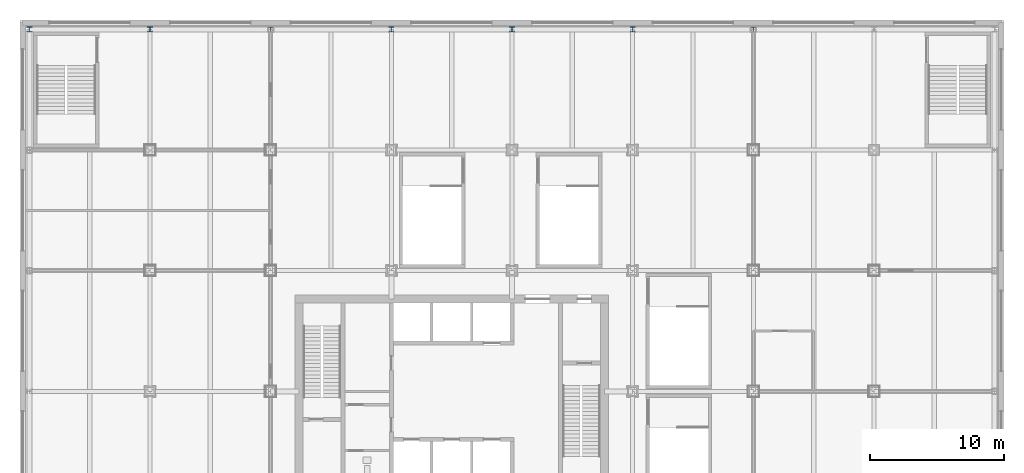
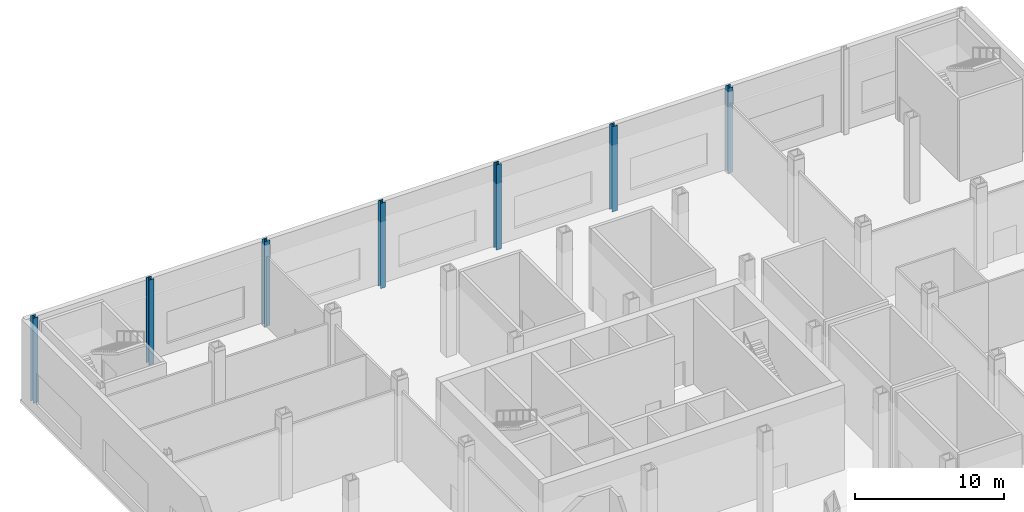
# One storey, part 7 of 32: 7 columns.
"""IFC4 building model written with IfcOpenShell, lengths in metres."""

from ifc_helpers import new_model, si_unit, direction, frame, origin, origin_2d, place, context, subcontext, project, spatial, i_section, extrude, material, material_profile, profile_set, type_object, element, save


model = new_model("IFC4")

# Units and contexts
model_context = context("Model", 3, precision=1e-05, world=origin(), true_north=direction((0.0, 1.0)))
body_context = subcontext(model_context, "Body", "Model", "MODEL_VIEW")
ifc_project = project(units=[si_unit("LENGTHUNIT", "METRE"), si_unit("AREAUNIT", "SQUARE_METRE"), si_unit("VOLUMEUNIT", "CUBIC_METRE"), si_unit("PLANEANGLEUNIT", "RADIAN"), si_unit("MASSUNIT", "GRAM", prefix="KILO")], contexts=[model_context])

# Site, building, storey
site_placement = place(None, origin())
site = spatial("IfcSite", under=ifc_project, at=site_placement, CompositionType="ELEMENT")
building_placement = place(site_placement, origin())
building = spatial("IfcBuilding", under=site, at=building_placement, Name="Loomwork Tower", CompositionType="ELEMENT")
storey_placement = place(building_placement, frame((0.0, 0.0, 16.0)))
storey = spatial("IfcBuildingStorey", under=building, at=storey_placement, Name="L03", CompositionType="ELEMENT", Elevation=16.0)

# Columns
ifc_material = material(Name="Steel ASTM A992", Category="steel")
ifc_material_profile = material_profile(ifc_material, i_section(OverallWidth=0.393798828125, OverallDepth=0.3759765625, WebThickness=0.017333984375, FlangeThickness=0.027587890625, at=origin_2d()), Name="W14x145")
ifc_profile_set = profile_set([ifc_material_profile], Name="Steel ASTM A992")
column_type = type_object("IfcColumnType", Name="PODIUM COLUMN W14x145", PredefinedType="COLUMN", material=ifc_profile_set)
for number, where, z_axis, x_axis, name in (
    (1, (-9.0, 45.0, 0.0), (0.0, 0.0, 1.0), (1.0, 0.0, 0.0), "Podium Column J/1 L03"),
    (2, (0.0, 45.0, 0.0), (0.0, 0.0, 1.0), (1.0, 0.0, 0.0), "Podium Column J/2 L03"),
    (3, (9.0, 45.0, 0.0), (0.0, 0.0, 1.0), (1.0, 0.0, 0.0), "Podium Column J/3 L03"),
    (4, (18.0, 45.0, 0.0), (0.0, 0.0, 1.0), (1.0, 0.0, 0.0), "Podium Column J/4 L03"),
    (5, (27.0, 45.0, 0.0), (0.0, 0.0, 1.0), (1.0, 0.0, 0.0), "Podium Column J/5 L03"),
    (6, (36.0, 45.0, 0.0), (0.0, 0.0, 1.0), (1.0, 0.0, 0.0), "Podium Column J/6 L03"),
    (7, (45.0, 45.0, 0.0), (0.0, 0.0, 1.0), (1.0, 0.0, 0.0), "Podium Column J/7 L03"),
):
    element("IfcColumn", number, at=place(storey_placement, frame(where, z_axis=z_axis, x_axis=x_axis)), inside=storey, type_object=column_type, Name=name, PredefinedType="COLUMN", context=body_context, shape_type="SweptSolid", body=[
        extrude(i_section(OverallWidth=0.393798828125, OverallDepth=0.3759765625, WebThickness=0.017333984375, FlangeThickness=0.027587890625, at=origin_2d()), origin(), (0.0, 0.0, 1.0), 7.0),
    ])

save(model, "model.ifc")
